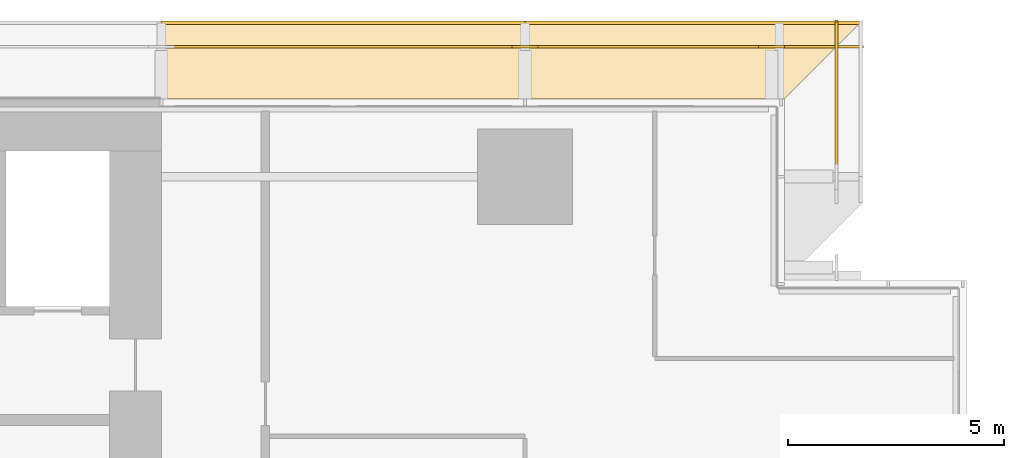
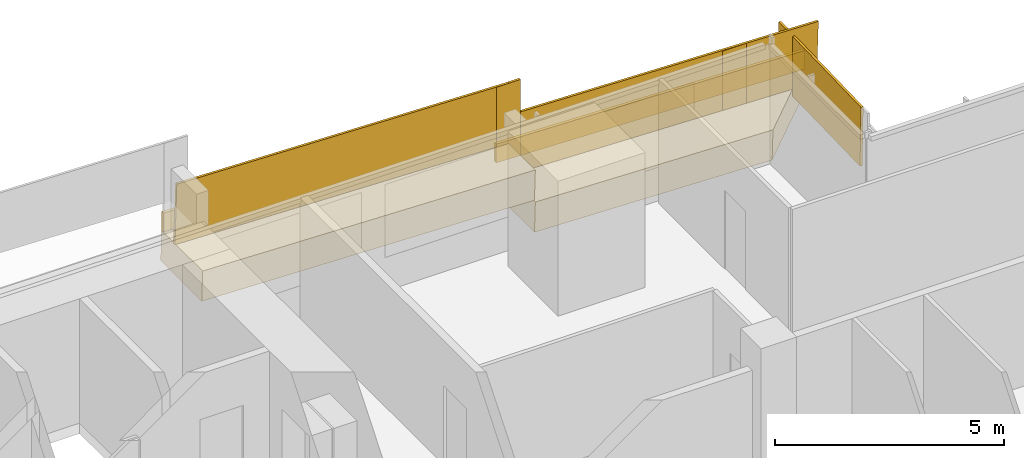
# One storey, part 27 of 29: 5 railings, 4 coverings.
"""IFC4 building model written with IfcOpenShell, lengths in metres."""

from ifc_helpers import new_model, si_unit, direction, frame, origin, origin_2d, place, context, subcontext, project, spatial, polyline, rectangle, outline, extrude, material, layer, layer_set, type_object, element, save


model = new_model("IFC4")

# Units and contexts
model_context = context("Model", 3, precision=1e-05, world=origin(), true_north=direction((0.0, 1.0)))
body_context = subcontext(model_context, "Body", "Model", "MODEL_VIEW")
ifc_project = project(units=[si_unit("LENGTHUNIT", "METRE"), si_unit("AREAUNIT", "SQUARE_METRE"), si_unit("VOLUMEUNIT", "CUBIC_METRE"), si_unit("PLANEANGLEUNIT", "RADIAN"), si_unit("MASSUNIT", "GRAM", prefix="KILO")], contexts=[model_context])

# Site, building, storey
site_placement = place(None, origin())
site = spatial("IfcSite", under=ifc_project, at=site_placement, CompositionType="ELEMENT")
building_placement = place(site_placement, origin())
building = spatial("IfcBuilding", under=site, at=building_placement, Name="Saffron Gate Tower", CompositionType="ELEMENT")
storey_placement = place(building_placement, frame((0.0, 0.0, 58.800048828125)))
storey = spatial("IfcBuildingStorey", under=building, at=storey_placement, Name="L13", CompositionType="ELEMENT", Elevation=58.800048828125)

# Coverings
ifc_material = material(Name="Timber, thermally modified ash", Category="wood")
ifc_layer_1 = layer(ifc_material, 0.800048828125)
ifc_layer_set_1 = layer_set([ifc_layer_1], Name="LD1 ledge timber")
covering_type_1 = type_object("IfcCoveringType", Name="LD1 ledge timber", PredefinedType="CLADDING", material=ifc_layer_set_1)
covering_1_placement = place(storey_placement, frame((123.0, 75.60009765625, 0.72900390625), z_axis=(0.028807146299, 3.5032058e-05, 0.99958498743), x_axis=(-0.999584988043, 3.68e-10, 0.028807146316)))
element("IfcCovering", 1, at=covering_1_placement, inside=storey, type_object=covering_type_1, Name="LEDGE", PredefinedType="CLADDING", context=body_context, shape_type="SweptSolid", body=[
    extrude(outline(polyline([(0.0, 0.0), (6.0024892885105, 0.0), (6.002489289172793, -1.7998046863955992), (-1.800799813548424, -1.799804691475862), (0.0, 0.0)])), origin(), (0.0, 0.0, -1.0), 0.800048828125),
])
covering_2_placement = place(storey_placement, frame((117.0, 75.60009765625, 1.75927734375), z_axis=(0.028791175352, 0.0, 0.999585448184), x_axis=(-0.999585448184, 0.0, 0.028791175352)))
element("IfcCovering", 2, at=covering_2_placement, inside=storey, type_object=covering_type_1, Name="LEDGE", PredefinedType="CLADDING", context=body_context, shape_type="SweptSolid", body=[
    extrude(outline(polyline([(0.0, 0.0), (8.403385982666892, 0.0), (8.403385982666892, -1.7998046875), (0.0, -1.7998046875), (0.0, 0.0)])), origin(), (0.0, 0.0, -1.0), 0.800048828125),
])
ifc_layer_2 = layer(ifc_material, 0.080078125)
ifc_layer_set_2 = layer_set([ifc_layer_2], Name="LD2 ledge planter trough")
covering_type_2 = type_object("IfcCoveringType", Name="LD2 ledge planter trough", PredefinedType="CLADDING", material=ifc_layer_set_2)
covering_3_placement = place(storey_placement, frame((124.800048828125, 77.39990234375, 0.677001953125), z_axis=(0.0, 1.0, 0.0), x_axis=(-0.999584755248, 0.0, 0.028815222999)))
element("IfcCovering", 3, at=covering_3_placement, inside=storey, type_object=covering_type_2, Name="LEDGE planter trough", PredefinedType="CLADDING", context=body_context, shape_type="SweptSolid", body=[
    extrude(outline(polyline([(0.0, 0.0), (7.803289102975944, 0.0), (7.8176967144752565, 0.4997923776238338), (0.014407611499312996, 0.4997923776238338), (0.0, 0.0)])), origin(), (0.0, 0.0, -1.0), 0.080078125),
])
covering_4_placement = place(storey_placement, frame((117.0, 77.39990234375, 1.75927734375), z_axis=(0.0, 1.0, 0.0), x_axis=(-0.999585448184, 0.0, 0.028791175352)))
element("IfcCovering", 4, at=covering_4_placement, inside=storey, type_object=covering_type_2, Name="LEDGE planter trough", PredefinedType="CLADDING", context=body_context, shape_type="SweptSolid", body=[
    extrude(outline(polyline([(0.0, 0.0), (8.403385982666892, 0.0), (8.417781570342743, 0.49979272409216496), (0.014395587675851172, 0.4997927240921649), (0.0, 0.0)])), origin(), (0.0, 0.0, -1.0), 0.080078125),
])

# Railings
railing_type = type_object("IfcRailingType", Name="LG1 ledge balustrade", PredefinedType="BALUSTRADE", material=ifc_material)
railing_1_placement = place(storey_placement, frame((124.199951171875, 73.800048828125, 0.419921875)))
element("IfcRailing", 5, at=railing_1_placement, inside=storey, type_object=railing_type, Name="LEDGE BALUSTRADE", PredefinedType="BALUSTRADE", context=body_context, shape_type="SweptSolid", body=[
    extrude(rectangle(XDim=0.06005859375, YDim=1.60009765625, at=origin_2d()), frame((0.0, 0.0, 0.800048828125), z_axis=(0.0, 0.999584866472, 0.028811364412), x_axis=(-1.0, 0.0, 0.0)), (0.0, 0.0, 1.0), 3.601318359375),
])
railing_2_placement = place(storey_placement, frame((124.800048828125, 76.800048828125, 0.677001953125)))
element("IfcRailing", 6, at=railing_2_placement, inside=storey, type_object=railing_type, Name="LEDGE BALUSTRADE", PredefinedType="BALUSTRADE", context=body_context, shape_type="SweptSolid", body=[
    extrude(rectangle(XDim=0.06005859375, YDim=1.60009765625, at=origin_2d()), frame((0.0, 0.0, 0.800048828125), z_axis=(-0.999584755248, 0.0, 0.028815222999), x_axis=(0.0, -1.0, 0.0)), (0.0, 0.0, 1.0), 7.80322265625),
])
railing_3_placement = place(storey_placement, frame((123.0, 76.800048828125, 0.4716796875)))
element("IfcRailing", 7, at=railing_3_placement, inside=storey, type_object=railing_type, Name="LEDGE BALUSTRADE", PredefinedType="BALUSTRADE", context=body_context, shape_type="SweptSolid", body=[
    extrude(rectangle(XDim=0.06005859375, YDim=1.857177734375, at=origin_2d()), frame((0.0, 0.0, 0.9287109375), z_axis=(-1.0, 0.0, 0.0), x_axis=(0.0, -1.0, 0.0)), (0.0, 0.0, 1.0), 0.60009765625),
])
railing_4_placement = place(storey_placement, frame((117.0, 76.800048828125, 1.75927734375)))
element("IfcRailing", 8, at=railing_4_placement, inside=storey, type_object=railing_type, Name="LEDGE BALUSTRADE", PredefinedType="BALUSTRADE", context=body_context, shape_type="SweptSolid", body=[
    extrude(rectangle(XDim=0.06005859375, YDim=1.60009765625, at=origin_2d()), frame((0.0, 0.0, 0.800048828125), z_axis=(-0.999585448184, 0.0, 0.028791175352), x_axis=(0.0, -1.0, 0.0)), (0.0, 0.0, 1.0), 8.4033203125),
])
railing_5_placement = place(storey_placement, frame((117.300048828125, 76.800048828125, 0.90185546875)))
element("IfcRailing", 9, at=railing_5_placement, inside=storey, type_object=railing_type, Name="LEDGE BALUSTRADE", PredefinedType="BALUSTRADE", context=body_context, shape_type="SweptSolid", body=[
    extrude(rectangle(XDim=0.06005859375, YDim=2.45751953125, at=origin_2d()), frame((0.0, 0.0, 1.228759765625), z_axis=(-1.0, 0.0, 0.0), x_axis=(0.0, -1.0, 0.0)), (0.0, 0.0, 1.0), 0.60009765625),
])

save(model, "model.ifc")
